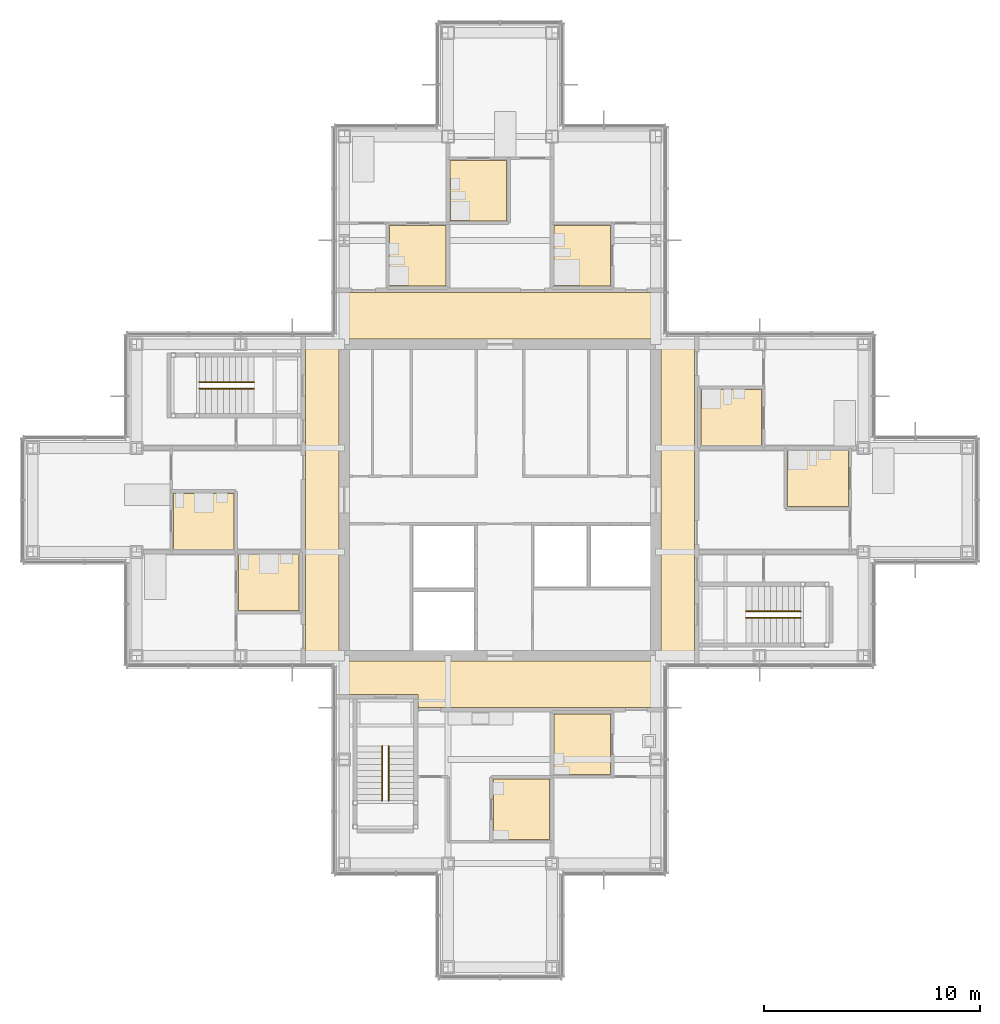
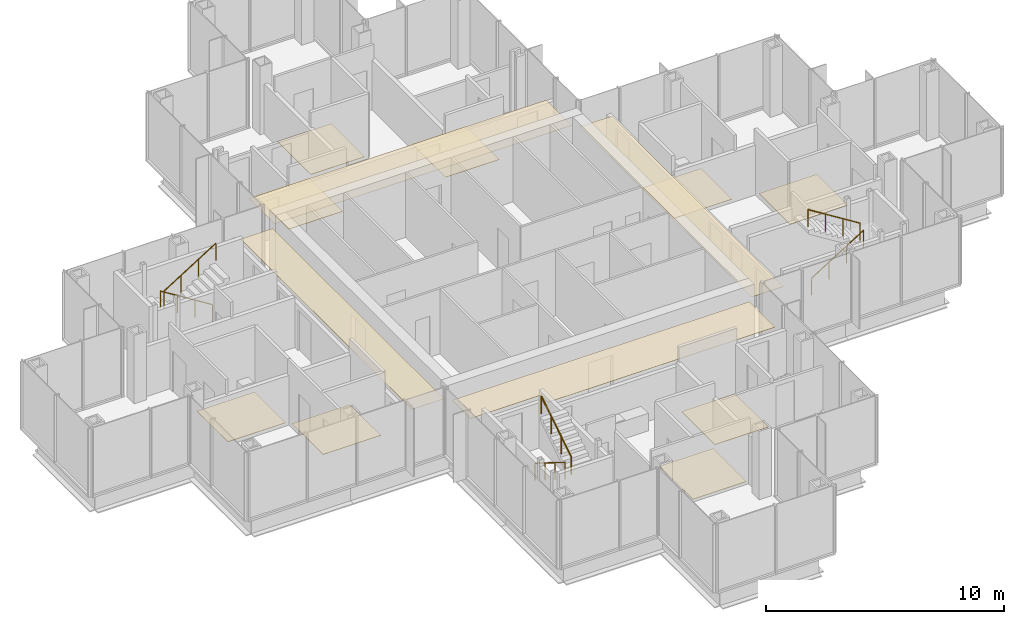
# One storey, part 15 of 17: 13 coverings, 6 railings.
"""IFC4 building model written with IfcOpenShell, lengths in metres."""

from ifc_helpers import new_model, si_unit, direction, frame, origin, origin_2d, place, context, subcontext, project, spatial, polyline, circle, outline, extrude, material, layer, layer_set, type_object, element, save


model = new_model("IFC4")

# Units and contexts
model_context = context("Model", 3, precision=1e-05, world=origin(), true_north=direction((0.0, 1.0)))
body_context = subcontext(model_context, "Body", "Model", "MODEL_VIEW")
ifc_project = project(units=[si_unit("LENGTHUNIT", "METRE"), si_unit("AREAUNIT", "SQUARE_METRE"), si_unit("VOLUMEUNIT", "CUBIC_METRE"), si_unit("PLANEANGLEUNIT", "RADIAN"), si_unit("MASSUNIT", "GRAM", prefix="KILO")], contexts=[model_context])

# Site, building, storey
site_placement = place(None, origin())
site = spatial("IfcSite", under=ifc_project, at=site_placement, CompositionType="ELEMENT")
building_placement = place(site_placement, origin())
building = spatial("IfcBuilding", under=site, at=building_placement, Name="Kvirike Care Tower", CompositionType="ELEMENT")
storey_placement = place(building_placement, frame((0.0, 0.0, 148.0)))
storey = spatial("IfcBuildingStorey", under=building, at=storey_placement, Name="L40", CompositionType="ELEMENT", Elevation=148.0)

# Coverings
ifc_material_1 = material(Name="Perforated metal ceiling tile", Category="aluminium")
ifc_layer_1 = layer(ifc_material_1, 0.014892578125)
ifc_layer_set_1 = layer_set([ifc_layer_1], Name="CORRIDOR CEILING 15")
covering_type_1 = type_object("IfcCoveringType", Name="CORRIDOR CEILING 15", PredefinedType="CEILING", material=ifc_layer_set_1)
covering_1_placement = place(storey_placement, frame((0.0, 0.0, 2.5)))
element("IfcCovering", 1, at=covering_1_placement, inside=storey, type_object=covering_type_1, Name="Corridor ceiling L40", PredefinedType="CEILING", context=body_context, shape_type="SweptSolid", body=[
    extrude(outline(polyline([(12.60009765625, 43.199951171875), (14.14990234375, 43.199951171875), (14.14990234375, 28.800048828125), (12.60009765625, 28.800048828125), (12.60009765625, 43.199951171875)])), origin(), (0.0, 0.0, 1.0), 0.014892578125),
])
covering_2_placement = place(storey_placement, frame((0.0, 0.0, 2.5)))
element("IfcCovering", 2, at=covering_2_placement, inside=storey, type_object=covering_type_1, Name="Corridor ceiling L40", PredefinedType="CEILING", context=body_context, shape_type="SweptSolid", body=[
    extrude(outline(polyline([(14.39990234375, 28.550048828125), (28.800048828125, 28.550048828125), (28.800048828125, 26.39990234375), (17.800048828125, 26.39990234375), (17.800048828125, 27.0), (14.39990234375, 27.0), (14.39990234375, 28.550048828125)])), origin(), (0.0, 0.0, 1.0), 0.014892578125),
])
covering_3_placement = place(storey_placement, frame((0.0, 0.0, 2.5)))
element("IfcCovering", 3, at=covering_3_placement, inside=storey, type_object=covering_type_1, Name="Corridor ceiling L40", PredefinedType="CEILING", context=body_context, shape_type="SweptSolid", body=[
    extrude(outline(polyline([(28.800048828125, 45.60009765625), (28.800048828125, 43.449951171875), (14.39990234375, 43.449951171875), (14.39990234375, 45.60009765625), (28.800048828125, 45.60009765625)])), origin(), (0.0, 0.0, 1.0), 0.014892578125),
])
covering_4_placement = place(storey_placement, frame((0.0, 0.0, 2.5)))
element("IfcCovering", 4, at=covering_4_placement, inside=storey, type_object=covering_type_1, Name="Corridor ceiling L40", PredefinedType="CEILING", context=body_context, shape_type="SweptSolid", body=[
    extrude(outline(polyline([(30.60009765625, 28.800048828125), (29.050048828125, 28.800048828125), (29.050048828125, 43.199951171875), (30.60009765625, 43.199951171875), (30.60009765625, 28.800048828125)])), origin(), (0.0, 0.0, 1.0), 0.014892578125),
])

# Railings
ifc_material_2 = material(Name="Stainless steel handrail", Category="steel")
railing_type = type_object("IfcRailingType", Name="STAIR HANDRAIL 900", PredefinedType="HANDRAIL", material=ifc_material_2)
railing_1_placement = place(storey_placement, frame((10.219970703125, 41.449951171875, 0.175048828125)))
element("IfcRailing", 5, at=railing_1_placement, inside=storey, type_object=railing_type, Name="Stair 1 handrail L40 flight 1", PredefinedType="HANDRAIL", context=body_context, shape_type="SweptSolid", body=[
    extrude(circle(Radius=0.02490234375, at=origin_2d()), frame((0.0, 0.0, 0.875), z_axis=(-0.848007534815, 0.0, 0.529984170421), x_axis=(0.0, -1.0, 0.0)), (0.0, 0.0, 1.0), 2.9716796875),
    extrude(circle(Radius=0.02001953125, at=origin_2d()), origin(), (0.0, 0.0, 1.0), 0.849853515625),
    extrude(circle(Radius=0.02001953125, at=origin_2d()), frame((-0.840087890625, 0.0, 0.52490234375)), (0.0, 0.0, 1.0), 0.849853515625),
    extrude(circle(Radius=0.02001953125, at=origin_2d()), frame((-1.679931640625, 0.0, 1.050048828125)), (0.0, 0.0, 1.0), 0.849853515625),
    extrude(circle(Radius=0.02001953125, at=origin_2d()), frame((-2.52001953125, 0.0, 1.574951171875)), (0.0, 0.0, 1.0), 0.849853515625),
])
for number, where, name in (
    (6, (7.699951171875, 41.14990234375, 1.925048828125), "Stair 1 handrail L40 flight 2"),
    (7, (32.97998046875, 30.550048828125, 0.175048828125), "Stair 2 handrail L40 flight 1"),
):
    element("IfcRailing", number, at=place(storey_placement, frame(where)), inside=storey, type_object=railing_type, Name=name, PredefinedType="HANDRAIL", context=body_context, shape_type="SweptSolid", body=[
        extrude(circle(Radius=0.02490234375, at=origin_2d()), frame((0.0, 0.0, 0.875), z_axis=(0.848007534815, 0.0, 0.529984170421), x_axis=(0.0, 1.0, 0.0)), (0.0, 0.0, 1.0), 2.9716796875),
        extrude(circle(Radius=0.02001953125, at=origin_2d()), origin(), (0.0, 0.0, 1.0), 0.849853515625),
        extrude(circle(Radius=0.02001953125, at=origin_2d()), frame((0.840087890625, 0.0, 0.52490234375)), (0.0, 0.0, 1.0), 0.849853515625),
        extrude(circle(Radius=0.02001953125, at=origin_2d()), frame((1.679931640625, 0.0, 1.050048828125)), (0.0, 0.0, 1.0), 0.849853515625),
        extrude(circle(Radius=0.02001953125, at=origin_2d()), frame((2.52001953125, 0.0, 1.574951171875)), (0.0, 0.0, 1.0), 0.849853515625),
    ])
railing_2_placement = place(storey_placement, frame((35.5, 30.85009765625, 1.925048828125)))
element("IfcRailing", 8, at=railing_2_placement, inside=storey, type_object=railing_type, Name="Stair 2 handrail L40 flight 2", PredefinedType="HANDRAIL", context=body_context, shape_type="SweptSolid", body=[
    extrude(circle(Radius=0.02490234375, at=origin_2d()), frame((0.0, 0.0, 0.875), z_axis=(-0.848007534815, 0.0, 0.529984170421), x_axis=(0.0, -1.0, 0.0)), (0.0, 0.0, 1.0), 2.9716796875),
    extrude(circle(Radius=0.02001953125, at=origin_2d()), origin(), (0.0, 0.0, 1.0), 0.849853515625),
    extrude(circle(Radius=0.02001953125, at=origin_2d()), frame((-0.840087890625, 0.0, 0.52490234375)), (0.0, 0.0, 1.0), 0.849853515625),
    extrude(circle(Radius=0.02001953125, at=origin_2d()), frame((-1.679931640625, 0.0, 1.050048828125)), (0.0, 0.0, 1.0), 0.849853515625),
    extrude(circle(Radius=0.02001953125, at=origin_2d()), frame((-2.52001953125, 0.0, 1.574951171875)), (0.0, 0.0, 1.0), 0.849853515625),
])
railing_3_placement = place(storey_placement, frame((16.14990234375, 24.6201171875, 0.175048828125)))
element("IfcRailing", 9, at=railing_3_placement, inside=storey, type_object=railing_type, Name="Stair 5 handrail L40 flight 1", PredefinedType="HANDRAIL", context=body_context, shape_type="SweptSolid", body=[
    extrude(circle(Radius=0.02490234375, at=origin_2d()), frame((0.0, 0.0, 0.875), z_axis=(0.0, -0.848007534815, 0.529984170421), x_axis=(1.0, 0.0, 0.0)), (0.0, 0.0, 1.0), 2.9716796875),
    extrude(circle(Radius=0.02001953125, at=origin_2d()), origin(), (0.0, 0.0, 1.0), 0.849853515625),
    extrude(circle(Radius=0.02001953125, at=origin_2d()), frame((0.0, -0.840087890625, 0.52490234375)), (0.0, 0.0, 1.0), 0.849853515625),
    extrude(circle(Radius=0.02001953125, at=origin_2d()), frame((0.0, -1.679931640625, 1.050048828125)), (0.0, 0.0, 1.0), 0.849853515625),
    extrude(circle(Radius=0.02001953125, at=origin_2d()), frame((0.0, -2.52001953125, 1.574951171875)), (0.0, 0.0, 1.0), 0.849853515625),
])
railing_4_placement = place(storey_placement, frame((16.449951171875, 22.10009765625, 1.925048828125)))
element("IfcRailing", 10, at=railing_4_placement, inside=storey, type_object=railing_type, Name="Stair 5 handrail L40 flight 2", PredefinedType="HANDRAIL", context=body_context, shape_type="SweptSolid", body=[
    extrude(circle(Radius=0.02490234375, at=origin_2d()), frame((0.0, 0.0, 0.875), z_axis=(0.0, 0.848007534815, 0.529984170421), x_axis=(-1.0, 0.0, 0.0)), (0.0, 0.0, 1.0), 2.9716796875),
    extrude(circle(Radius=0.02001953125, at=origin_2d()), origin(), (0.0, 0.0, 1.0), 0.849853515625),
    extrude(circle(Radius=0.02001953125, at=origin_2d()), frame((0.0, 0.840087890625, 0.52490234375)), (0.0, 0.0, 1.0), 0.849853515625),
    extrude(circle(Radius=0.02001953125, at=origin_2d()), frame((0.0, 1.679931640625, 1.050048828125)), (0.0, 0.0, 1.0), 0.849853515625),
    extrude(circle(Radius=0.02001953125, at=origin_2d()), frame((0.0, 2.52001953125, 1.574951171875)), (0.0, 0.0, 1.0), 0.849853515625),
])

# Coverings
ifc_material_3 = material(Name="Slip-resistant vinyl safety flooring on screed")
ifc_layer_2 = layer(ifc_material_3, 0.02001953125)
ifc_layer_set_2 = layer_set([ifc_layer_2], Name="WET ROOM FLOOR 20")
covering_type_2 = type_object("IfcCoveringType", Name="WET ROOM FLOOR 20", PredefinedType="FLOORING", material=ifc_layer_set_2)
covering_5_placement = place(storey_placement, origin())
element("IfcCovering", 11, at=covering_5_placement, inside=storey, type_object=covering_type_2, Name="En-suite floor L40-006", PredefinedType="FLOORING", context=body_context, shape_type="SweptSolid", body=[
    extrude(outline(polyline([(6.5, 36.300048828125), (9.300048828125, 36.300048828125), (9.300048828125, 33.699951171875), (6.5, 33.699951171875), (6.5, 36.300048828125)])), origin(), (0.0, 0.0, 1.0), 0.02001953125),
])
covering_6_placement = place(storey_placement, origin())
element("IfcCovering", 12, at=covering_6_placement, inside=storey, type_object=covering_type_2, Name="En-suite floor L40-009", PredefinedType="FLOORING", context=body_context, shape_type="SweptSolid", body=[
    extrude(outline(polyline([(9.5, 33.5), (12.300048828125, 33.5), (12.300048828125, 30.89990234375), (9.5, 30.89990234375), (9.5, 33.5)])), origin(), (0.0, 0.0, 1.0), 0.02001953125),
])
covering_7_placement = place(storey_placement, origin())
element("IfcCovering", 13, at=covering_7_placement, inside=storey, type_object=covering_type_2, Name="Accessible WC floor L40-014", PredefinedType="FLOORING", context=body_context, shape_type="SweptSolid", body=[
    extrude(outline(polyline([(21.300048828125, 20.300048828125), (21.300048828125, 23.10009765625), (23.89990234375, 23.10009765625), (23.89990234375, 20.300048828125), (21.300048828125, 20.300048828125)])), origin(), (0.0, 0.0, 1.0), 0.02001953125),
])
covering_8_placement = place(storey_placement, origin())
element("IfcCovering", 14, at=covering_8_placement, inside=storey, type_object=covering_type_2, Name="Staff WC floor L40-017", PredefinedType="FLOORING", context=body_context, shape_type="SweptSolid", body=[
    extrude(outline(polyline([(24.10009765625, 23.300048828125), (24.10009765625, 26.10009765625), (26.699951171875, 26.10009765625), (26.699951171875, 23.300048828125), (24.10009765625, 23.300048828125)])), origin(), (0.0, 0.0, 1.0), 0.02001953125),
])
covering_9_placement = place(storey_placement, origin())
element("IfcCovering", 15, at=covering_9_placement, inside=storey, type_object=covering_type_2, Name="Assisted bathroom floor L40-021", PredefinedType="FLOORING", context=body_context, shape_type="SweptSolid", body=[
    extrude(outline(polyline([(26.699951171875, 48.699951171875), (26.699951171875, 45.89990234375), (24.10009765625, 45.89990234375), (24.10009765625, 48.699951171875), (26.699951171875, 48.699951171875)])), origin(), (0.0, 0.0, 1.0), 0.02001953125),
])
covering_10_placement = place(storey_placement, origin())
element("IfcCovering", 16, at=covering_10_placement, inside=storey, type_object=covering_type_2, Name="En-suite floor L40-024", PredefinedType="FLOORING", context=body_context, shape_type="SweptSolid", body=[
    extrude(outline(polyline([(21.89990234375, 51.699951171875), (21.89990234375, 48.89990234375), (19.300048828125, 48.89990234375), (19.300048828125, 51.699951171875), (21.89990234375, 51.699951171875)])), origin(), (0.0, 0.0, 1.0), 0.02001953125),
])
covering_11_placement = place(storey_placement, origin())
element("IfcCovering", 17, at=covering_11_placement, inside=storey, type_object=covering_type_2, Name="En-suite floor L40-027", PredefinedType="FLOORING", context=body_context, shape_type="SweptSolid", body=[
    extrude(outline(polyline([(19.10009765625, 48.699951171875), (19.10009765625, 45.89990234375), (16.5, 45.89990234375), (16.5, 48.699951171875), (19.10009765625, 48.699951171875)])), origin(), (0.0, 0.0, 1.0), 0.02001953125),
])
covering_12_placement = place(storey_placement, origin())
element("IfcCovering", 18, at=covering_12_placement, inside=storey, type_object=covering_type_2, Name="En-suite floor L40-034", PredefinedType="FLOORING", context=body_context, shape_type="SweptSolid", body=[
    extrude(outline(polyline([(37.699951171875, 35.699951171875), (34.89990234375, 35.699951171875), (34.89990234375, 38.300048828125), (37.699951171875, 38.300048828125), (37.699951171875, 35.699951171875)])), origin(), (0.0, 0.0, 1.0), 0.02001953125),
])
covering_13_placement = place(storey_placement, origin())
element("IfcCovering", 19, at=covering_13_placement, inside=storey, type_object=covering_type_2, Name="En-suite floor L40-037", PredefinedType="FLOORING", context=body_context, shape_type="SweptSolid", body=[
    extrude(outline(polyline([(33.699951171875, 38.5), (30.89990234375, 38.5), (30.89990234375, 41.10009765625), (33.699951171875, 41.10009765625), (33.699951171875, 38.5)])), origin(), (0.0, 0.0, 1.0), 0.02001953125),
])

save(model, "model.ifc")
